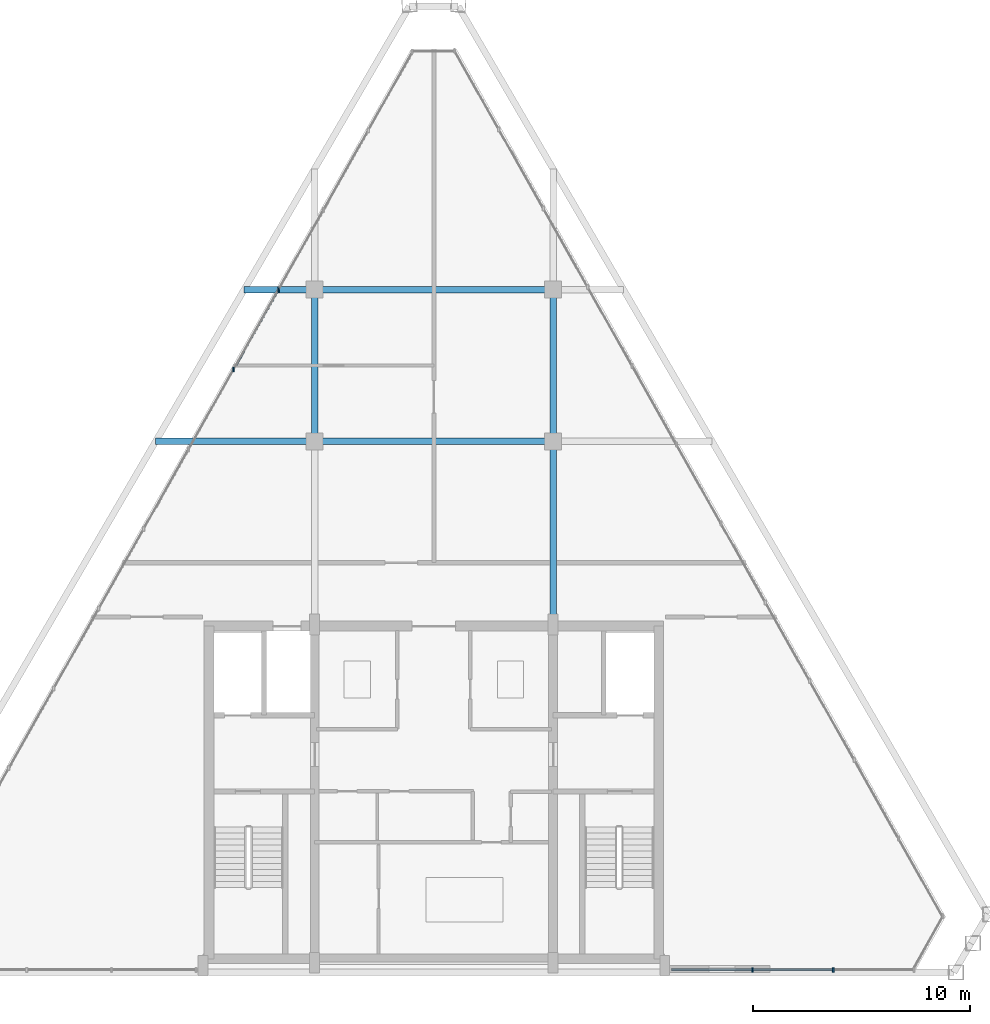
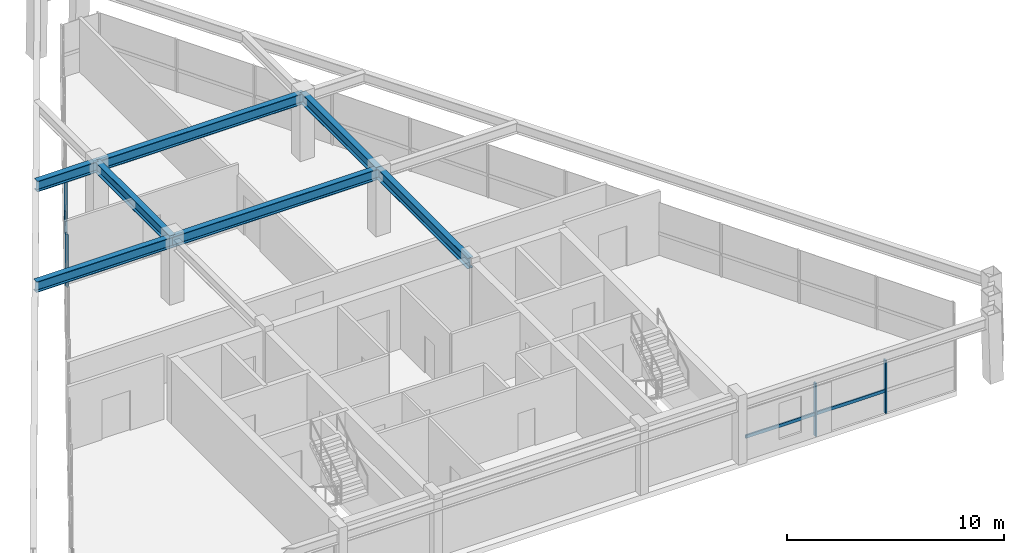
# One storey, part 5 of 12: 7 beams, 7 members, 2 elements without a shape of their own.
"""IFC4 building model written with IfcOpenShell, lengths in metres."""

from ifc_helpers import new_model, si_unit, direction, frame, origin, origin_2d, place, context, subcontext, project, spatial, rectangle, i_section, extrude, source, transform, mapped, material, material_profile, profile_set, type_object, type_shapes, element, aggregate, save


model = new_model("IFC4")

# Units and contexts
model_context = context("Model", 3, precision=1e-05, world=origin(), true_north=direction((0.0, 1.0)))
body_context = subcontext(model_context, "Body", "Model", "MODEL_VIEW")
ifc_project = project(units=[si_unit("LENGTHUNIT", "METRE"), si_unit("AREAUNIT", "SQUARE_METRE"), si_unit("VOLUMEUNIT", "CUBIC_METRE"), si_unit("PLANEANGLEUNIT", "RADIAN"), si_unit("MASSUNIT", "GRAM", prefix="KILO")], contexts=[model_context])

# Site, building, storey
site_placement = place(None, origin())
site = spatial("IfcSite", under=ifc_project, at=site_placement, CompositionType="ELEMENT")
building_placement = place(site_placement, origin())
building = spatial("IfcBuilding", under=site, at=building_placement, Name="Varnakhor Terracotta Tower", CompositionType="ELEMENT")
storey_placement = place(building_placement, frame((0.0, 0.0, 321.39990234375)))
storey = spatial("IfcBuildingStorey", under=building, at=storey_placement, Name="L84 Crown", CompositionType="ELEMENT", Elevation=321.39990234375)

# Beams
ifc_material_1 = material(Name="Steel S355", Category="steel")
ifc_material_profile_1 = material_profile(ifc_material_1, i_section(OverallWidth=0.300048828125, OverallDepth=0.60009765625, WebThickness=0.015380859375, FlangeThickness=0.030029296875, FilletRadius=0.01806640625, at=origin_2d()), Name="HEB600")
ifc_profile_set_1 = profile_set([ifc_material_profile_1], Name="Steel S355")
beam_type = type_object("IfcBeamType", Name="BM-HEB600", PredefinedType="BEAM", material=ifc_profile_set_1)
shared_shape_1 = source(origin(), body_context, "Body", "SweptSolid", [
    extrude(i_section(OverallWidth=0.300048828125, OverallDepth=0.60009765625, WebThickness=0.015380859375, FlangeThickness=0.030029296875, FilletRadius=0.01806640625, at=origin_2d()), origin(), (0.0, 0.0, 1.0), 8.449951171875),
])
beam_1_placement = place(storey_placement, frame((5.5, 16.050048828125, 3.300048828125), z_axis=(0.0, 1.0, 0.0), x_axis=(-1.0, 0.0, 0.0)))
element("IfcBeam", 1, at=beam_1_placement, inside=storey, type_object=beam_type, Name="L84 Crown Primary Girder NS1-E", PredefinedType="BEAM", context=body_context, shape_type="MappedRepresentation", body=[
    mapped(shared_shape_1, transform((0.0, 0.0, 0.0), scale=1.0)),
])
shared_shape_2 = source(origin(), body_context, "Body", "SweptSolid", [
    extrude(i_section(OverallWidth=0.300048828125, OverallDepth=0.60009765625, WebThickness=0.015380859375, FlangeThickness=0.030029296875, FilletRadius=0.01806640625, at=origin_2d()), origin(), (0.0, 0.0, 1.0), 7.0),
])
for number, where, z_axis, x_axis, name in (
    (2, (-5.5, 24.5, 3.300048828125), (0.0, 1.0, 0.0), (-1.0, 0.0, 0.0), "L84 Crown Primary Girder NS2-W"),
    (3, (5.5, 24.5, 3.300048828125), (0.0, 1.0, 0.0), (-1.0, 0.0, 0.0), "L84 Crown Primary Girder NS2-E"),
):
    element("IfcBeam", number, at=place(storey_placement, frame(where, z_axis=z_axis, x_axis=x_axis)), inside=storey, type_object=beam_type, Name=name, PredefinedType="BEAM", context=body_context, shape_type="MappedRepresentation", body=[
        mapped(shared_shape_2, transform((0.0, 0.0, 0.0), scale=1.0)),
    ])
shared_shape_3 = source(origin(), body_context, "Body", "SweptSolid", [
    extrude(i_section(OverallWidth=0.300048828125, OverallDepth=0.60009765625, WebThickness=0.015380859375, FlangeThickness=0.030029296875, FilletRadius=0.01806640625, at=origin_2d()), origin(), (0.0, 0.0, 1.0), 11.0),
])
for number, where, z_axis, x_axis, name in (
    (4, (-5.5, 24.5, 3.300048828125), (1.0, 0.0, 0.0), (0.0, 1.0, 0.0), "L84 Crown Primary Girder EW2-2"),
    (5, (-5.5, 31.5, 3.300048828125), (1.0, 0.0, 0.0), (0.0, 1.0, 0.0), "L84 Crown Primary Girder EW3-2"),
):
    element("IfcBeam", number, at=place(storey_placement, frame(where, z_axis=z_axis, x_axis=x_axis)), inside=storey, type_object=beam_type, Name=name, PredefinedType="BEAM", context=body_context, shape_type="MappedRepresentation", body=[
        mapped(shared_shape_3, transform((0.0, 0.0, 0.0), scale=1.0)),
    ])
shared_shape_4 = source(origin(), body_context, "Body", "SweptSolid", [
    extrude(i_section(OverallWidth=0.300048828125, OverallDepth=0.60009765625, WebThickness=0.015380859375, FlangeThickness=0.030029296875, FilletRadius=0.01806640625, at=origin_2d()), origin(), (0.0, 0.0, 1.0), 7.33154296875),
])
beam_2_placement = place(storey_placement, frame((-12.83154296875, 24.5, 3.300048828125), z_axis=(1.0, 0.0, 0.0), x_axis=(0.0, 1.0, 0.0)))
element("IfcBeam", 6, at=beam_2_placement, inside=storey, type_object=beam_type, Name="L84 Crown Primary Girder EW2-1", PredefinedType="BEAM", context=body_context, shape_type="MappedRepresentation", body=[
    mapped(shared_shape_4, transform((0.0, 0.0, 0.0), scale=1.0)),
])
shared_shape_5 = source(origin(), body_context, "Body", "SweptSolid", [
    extrude(i_section(OverallWidth=0.300048828125, OverallDepth=0.60009765625, WebThickness=0.015380859375, FlangeThickness=0.030029296875, FilletRadius=0.01806640625, at=origin_2d()), origin(), (0.0, 0.0, 1.0), 3.248291015625),
])
beam_3_placement = place(storey_placement, frame((-8.748291015625, 31.5, 3.300048828125), z_axis=(1.0, 0.0, 0.0), x_axis=(0.0, 1.0, 0.0)))
element("IfcBeam", 7, at=beam_3_placement, inside=storey, type_object=beam_type, Name="L84 Crown Primary Girder EW3-1", PredefinedType="BEAM", context=body_context, shape_type="MappedRepresentation", body=[
    mapped(shared_shape_5, transform((0.0, 0.0, 0.0), scale=1.0)),
])

# Curtain wall, members
ifc_material_2 = material(Name="Anodised Aluminium Curtain Wall System", Category="aluminium")
curtain_wall_type = type_object("IfcCurtainWallType", Name="CW-SYS-CROWN", PredefinedType="NOTDEFINED", material=ifc_material_2)
curtain_wall_1_placement = place(storey_placement, origin())
curtain_wall_1 = element("IfcCurtainWall", 8, at=curtain_wall_1_placement, inside=storey, type_object=curtain_wall_type, Name="L84 Crown Facet Curtain Wall 1", PredefinedType="NOTDEFINED")
ifc_material_3 = material(Name="Anodised Aluminium 6063-T6", Category="aluminium")
ifc_material_profile_2 = material_profile(ifc_material_3, rectangle(XDim=0.080078125, YDim=0.205078125, at=origin_2d()), Name="ALU MULLION 80x205")
ifc_profile_set_2 = profile_set([ifc_material_profile_2], Name="Anodised Aluminium 6063-T6")
member_type_1 = type_object("IfcMemberType", Name="CWM-06", PredefinedType="MULLION", material=ifc_profile_set_2)
shared_shape_6 = source(origin(), body_context, "Body", "SweptSolid", [
    extrude(rectangle(XDim=0.080078125, YDim=0.205078125, at=origin_2d()), origin(), (0.0, 0.0, 1.0), 2.97998046875),
])
type_shapes(member_type_1, [shared_shape_6])
member_1_placement = place(storey_placement, frame((-9.2412109375, 27.81005859375, 0.0), z_axis=(0.0, 0.0, 1.0), x_axis=(1.0, 0.0, 0.0)))
member_1 = element("IfcMember", 9, at=member_1_placement, type_object=member_type_1, Name="L84 Crown Facet Curtain Wall 1 Mullion 8", PredefinedType="MULLION", context=body_context, shape_type="MappedRepresentation", body=[
    mapped(shared_shape_6, transform((0.0, 0.0, 0.0), scale=1.0)),
])
member_2_placement = place(storey_placement, frame((-7.16845703125, 31.487548828125, 0.0), z_axis=(0.0, 0.0, 1.0), x_axis=(1.0, 0.0, 0.0)))
member_2 = element("IfcMember", 10, at=member_2_placement, type_object=member_type_1, Name="L84 Crown Facet Curtain Wall 1 Mullion 9", PredefinedType="MULLION", context=body_context, shape_type="MappedRepresentation", body=[
    mapped(shared_shape_6, transform((0.0, 0.0, 0.0), scale=1.0)),
])

curtain_wall_2_placement = place(storey_placement, origin())
curtain_wall_2 = element("IfcCurtainWall", 11, at=curtain_wall_2_placement, inside=storey, type_object=curtain_wall_type, Name="L84 Crown South Wing Curtain Wall SSE", PredefinedType="NOTDEFINED")
member_3_placement = place(storey_placement, frame((18.423583984375, 0.1201171875, 0.0), z_axis=(0.0, 0.0, 1.0), x_axis=(1.0, 0.0, 0.0)))
member_3 = element("IfcMember", 12, at=member_3_placement, type_object=member_type_1, Name="L84 Crown South Wing Curtain Wall SSE Mullion 2", PredefinedType="MULLION", context=body_context, shape_type="MappedRepresentation", body=[
    mapped(shared_shape_6, transform((0.0, 0.0, 0.0), scale=1.0)),
])
member_4_placement = place(storey_placement, frame((14.69677734375, 0.1201171875, 0.0), z_axis=(0.0, 0.0, 1.0), x_axis=(1.0, 0.0, 0.0)))
member_4 = element("IfcMember", 13, at=member_4_placement, type_object=member_type_1, Name="L84 Crown South Wing Curtain Wall SSE Mullion 3", PredefinedType="MULLION", context=body_context, shape_type="MappedRepresentation", body=[
    mapped(shared_shape_6, transform((0.0, 0.0, 0.0), scale=1.0)),
])

# Member
ifc_material_profile_3 = material_profile(ifc_material_3, rectangle(XDim=0.080078125, YDim=0.179931640625, at=origin_2d()), Name="ALU TRANSOM 80x180")
ifc_profile_set_3 = profile_set([ifc_material_profile_3], Name="Anodised Aluminium 6063-T6")
member_type_2 = type_object("IfcMemberType", Name="CWT-06", PredefinedType="USERDEFINED", material=ifc_profile_set_3)
shared_shape_7 = source(origin(), body_context, "Body", "SweptSolid", [
    extrude(rectangle(XDim=0.080078125, YDim=0.179931640625, at=origin_2d()), origin(), (0.0, 0.0, 1.0), 4.221435546875),
])
member_5_placement = place(storey_placement, frame((-9.2412109375, 27.81005859375, 1.251708984375), z_axis=(0.491010669336, 0.871153558564, 0.0), x_axis=(-0.871153558564, 0.491010669336, 0.0)))
member_5 = element("IfcMember", 14, at=member_5_placement, type_object=member_type_2, Name="L84 Crown Facet Curtain Wall 1 Transom 8", ObjectType="TRANSOM", PredefinedType="USERDEFINED", context=body_context, shape_type="MappedRepresentation", body=[
    mapped(shared_shape_7, transform((0.0, 0.0, 0.0), scale=1.0)),
])

aggregate(curtain_wall_1, [member_1, member_5, member_2])

shared_shape_8 = source(origin(), body_context, "Body", "SweptSolid", [
    extrude(rectangle(XDim=0.080078125, YDim=0.179931640625, at=origin_2d()), origin(), (0.0, 0.0, 1.0), 3.726806640625),
])
member_6_placement = place(storey_placement, frame((18.423583984375, 0.1201171875, 1.251708984375), z_axis=(-1.0, 0.0, 0.0), x_axis=(0.0, -1.0, 0.0)))
member_6 = element("IfcMember", 15, at=member_6_placement, type_object=member_type_2, Name="L84 Crown South Wing Curtain Wall SSE Transom 2", ObjectType="TRANSOM", PredefinedType="USERDEFINED", context=body_context, shape_type="MappedRepresentation", body=[
    mapped(shared_shape_8, transform((0.0, 0.0, 0.0), scale=1.0)),
])

member_7_placement = place(storey_placement, frame((14.69677734375, 0.1201171875, 1.251708984375), z_axis=(-1.0, 0.0, 0.0), x_axis=(0.0, -1.0, 0.0)))
member_7 = element("IfcMember", 16, at=member_7_placement, type_object=member_type_2, Name="L84 Crown South Wing Curtain Wall SSE Transom 3", ObjectType="TRANSOM", PredefinedType="USERDEFINED", context=body_context, shape_type="MappedRepresentation", body=[
    mapped(shared_shape_8, transform((0.0, 0.0, 0.0), scale=1.0)),
])

aggregate(curtain_wall_2, [member_3, member_6, member_4, member_7])

save(model, "model.ifc")
